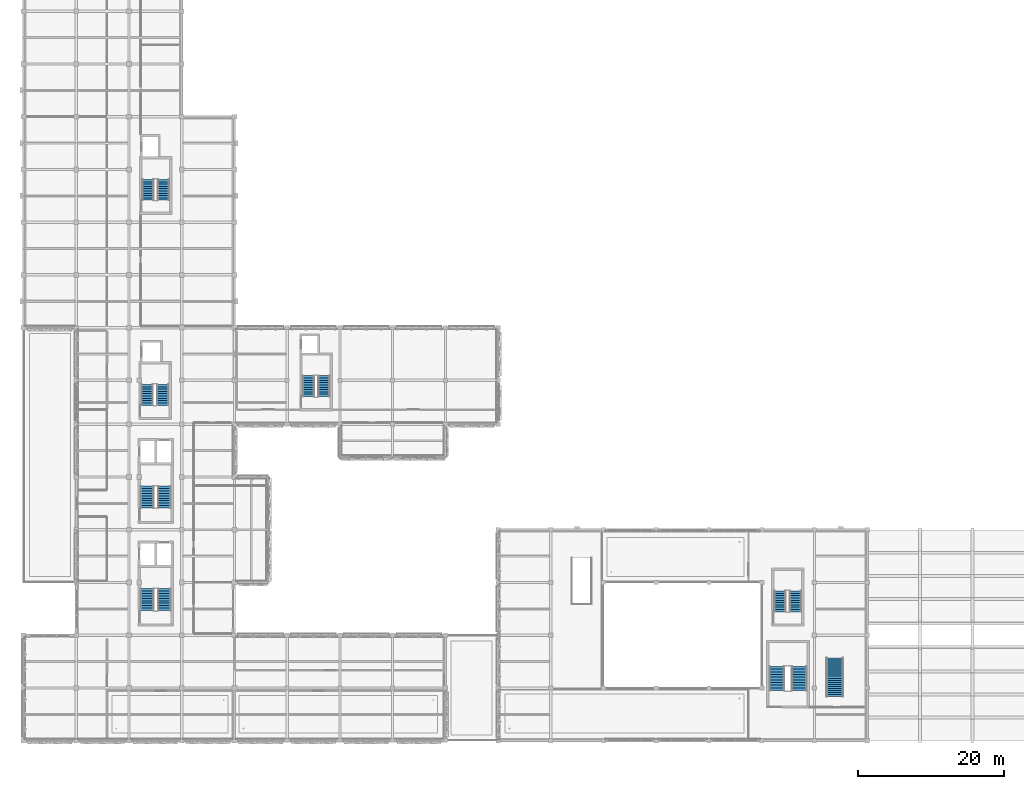
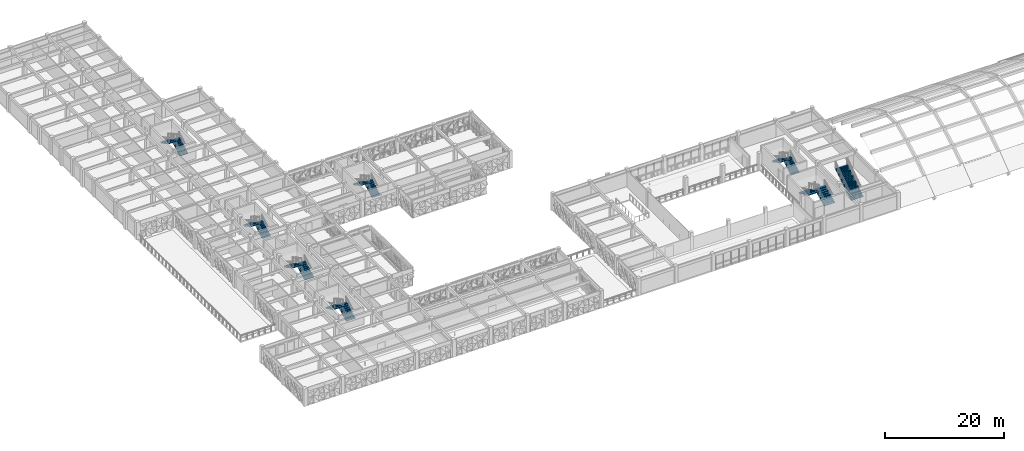
# One storey, part 49 of 85: 15 stair flights, 8 elements without a shape of their own.
"""IFC4 building model written with IfcOpenShell, lengths in metres."""

from ifc_helpers import new_model, si_unit, direction, frame, origin, place, context, subcontext, project, spatial, polyline, outline, extrude, material, type_object, element, aggregate, save


model = new_model("IFC4")

# Units and contexts
model_context = context("Model", 3, precision=1e-05, world=origin(), true_north=direction((0.0, 1.0)))
body_context = subcontext(model_context, "Body", "Model", "MODEL_VIEW")
ifc_project = project(units=[si_unit("LENGTHUNIT", "METRE"), si_unit("AREAUNIT", "SQUARE_METRE"), si_unit("VOLUMEUNIT", "CUBIC_METRE"), si_unit("PLANEANGLEUNIT", "RADIAN"), si_unit("MASSUNIT", "GRAM", prefix="KILO")], contexts=[model_context])

# Site, building, storey
site_placement = place(None, origin())
site = spatial("IfcSite", under=ifc_project, at=site_placement, CompositionType="ELEMENT")
building_placement = place(site_placement, origin())
building = spatial("IfcBuilding", under=site, at=building_placement, Name="Alvorim Cloister Faculty of Sciences", CompositionType="ELEMENT")
storey_placement = place(building_placement, frame((0.0, 0.0, 8.550048828125)))
storey = spatial("IfcBuildingStorey", under=building, at=storey_placement, Name="L02", CompositionType="ELEMENT", Elevation=8.550048828125)

# Stair, stair flight
ifc_material_1 = material(Name="Glulam GL32h", Category="wood")
stair_type_1 = type_object("IfcStairType", Name="STR-MON-ST-09-1700x3600", PredefinedType="STRAIGHT_RUN_STAIR", material=ifc_material_1)
stair_1_placement = place(storey_placement, origin())
stair_1 = element("IfcStair", 1, at=stair_1_placement, inside=storey, type_object=stair_type_1, Name="Atrium Monumental Stair MST-L02-ATR", PredefinedType="STRAIGHT_RUN_STAIR")
stair_flight_type_1 = type_object("IfcStairFlightType", Name="FLT-MON-ST-09-1700x3600", PredefinedType="STRAIGHT", material=ifc_material_1)
stair_flight_1_placement = place(storey_placement, frame((110.800048828125, 6.0, 0.0), z_axis=(0.0, 0.0, 1.0), x_axis=(0.0, 1.0, 0.0)))
stair_flight_1 = element("IfcStairFlight", 2, at=stair_flight_1_placement, type_object=stair_flight_type_1, Name="ST-09 flight 1", NumberOfRisers=20, NumberOfTreads=19, PredefinedType="STRAIGHT", RiserHeight=0.18, TreadLength=0.28, context=body_context, shape_type="SweptSolid", body=[
    extrude(outline(polyline([(0.332763671875, 0.0), (5.320068359375, 3.2060546875), (5.320068359375, 3.60009765625), (5.320068359375, 3.419921875), (5.0400390625, 3.419921875), (5.0400390625, 3.239990234375), (4.760009765625, 3.239990234375), (4.760009765625, 3.06005859375), (4.47998046875, 3.06005859375), (4.47998046875, 2.8798828125), (4.199951171875, 2.8798828125), (4.199951171875, 2.699951171875), (3.919921875, 2.699951171875), (3.919921875, 2.52001953125), (3.639892578125, 2.52001953125), (3.639892578125, 2.340087890625), (3.360107421875, 2.340087890625), (3.360107421875, 2.159912109375), (3.080078125, 2.159912109375), (3.080078125, 1.97998046875), (2.800048828125, 1.97998046875), (2.800048828125, 1.800048828125), (2.52001953125, 1.800048828125), (2.52001953125, 1.6201171875), (2.239990234375, 1.6201171875), (2.239990234375, 1.43994140625), (1.9599609375, 1.43994140625), (1.9599609375, 1.260009765625), (1.679931640625, 1.260009765625), (1.679931640625, 1.080078125), (1.39990234375, 1.080078125), (1.39990234375, 0.89990234375), (1.1201171875, 0.89990234375), (1.1201171875, 0.719970703125), (0.840087890625, 0.719970703125), (0.840087890625, 0.5400390625), (0.56005859375, 0.5400390625), (0.56005859375, 0.360107421875), (0.280029296875, 0.360107421875), (0.280029296875, 0.179931640625), (0.0, 0.179931640625), (0.0, 0.0), (0.332763671875, 0.0)])), frame((0.0, 1.175048828125, 0.0), z_axis=(0.0, -1.0, 0.0), x_axis=(1.0, 0.0, 0.0)), (0.0, 0.0, 1.0), 2.35009765625),
])
aggregate(stair_1, [stair_flight_1])

# Stair, stair flights
ifc_material_2 = material(Name="Concrete C40", Category="concrete")
stair_type_2 = type_object("IfcStairType", Name="STR-ST-01-1780x3600", PredefinedType="HALF_TURN_STAIR", material=ifc_material_2)
stair_2_placement = place(storey_placement, origin())
stair_2 = element("IfcStair", 3, at=stair_2_placement, inside=storey, type_object=stair_type_2, Name="L02 Enclosed Smoke-Proof Stair ST-01", PredefinedType="HALF_TURN_STAIR")
stair_flight_type_2 = type_object("IfcStairFlightType", Name="FLT-ST-01-1780x1800", PredefinedType="STRAIGHT", material=ifc_material_2)
stair_flight_2_placement = place(storey_placement, frame((19.22998046875, 17.780029296875, 0.0), z_axis=(0.0, 0.0, 1.0), x_axis=(0.0, 1.0, 0.0)))
stair_flight_2 = element("IfcStairFlight", 4, at=stair_flight_2_placement, type_object=stair_flight_type_2, Name="ST-01 flight 1", NumberOfRisers=10, NumberOfTreads=9, PredefinedType="STRAIGHT", RiserHeight=0.18, TreadLength=0.33, context=body_context, shape_type="SweptSolid", body=[
    extrude(outline(polyline([(0.333984375, 0.0), (2.969970703125, 1.437744140625), (2.969970703125, 1.800048828125), (2.969970703125, 1.6201171875), (2.639892578125, 1.6201171875), (2.639892578125, 1.43994140625), (2.31005859375, 1.43994140625), (2.31005859375, 1.260009765625), (1.97998046875, 1.260009765625), (1.97998046875, 1.080078125), (1.64990234375, 1.080078125), (1.64990234375, 0.89990234375), (1.320068359375, 0.89990234375), (1.320068359375, 0.719970703125), (0.989990234375, 0.719970703125), (0.989990234375, 0.5400390625), (0.659912109375, 0.5400390625), (0.659912109375, 0.360107421875), (0.330078125, 0.360107421875), (0.330078125, 0.179931640625), (0.0, 0.179931640625), (0.0, 0.0), (0.333984375, 0.0)])), frame((0.0, 0.89013671875, 0.0), z_axis=(0.0, -1.0, 0.0), x_axis=(1.0, 0.0, 0.0)), (0.0, 0.0, 1.0), 1.780029296875),
])
stair_flight_3_placement = place(storey_placement, frame((16.889892578125, 20.75, 1.800048828125), z_axis=(0.0, 0.0, 1.0), x_axis=(0.0, -1.0, 0.0)))
stair_flight_3 = element("IfcStairFlight", 5, at=stair_flight_3_placement, type_object=stair_flight_type_2, Name="ST-01 flight 2", NumberOfRisers=10, NumberOfTreads=9, PredefinedType="STRAIGHT", RiserHeight=0.18, TreadLength=0.33, context=body_context, shape_type="SweptSolid", body=[
    extrude(outline(polyline([(0.333984375, 0.0), (2.969970703125, 1.437744140625), (2.969970703125, 1.800048828125), (2.969970703125, 1.6201171875), (2.639892578125, 1.6201171875), (2.639892578125, 1.43994140625), (2.31005859375, 1.43994140625), (2.31005859375, 1.260009765625), (1.97998046875, 1.260009765625), (1.97998046875, 1.080078125), (1.64990234375, 1.080078125), (1.64990234375, 0.89990234375), (1.320068359375, 0.89990234375), (1.320068359375, 0.719970703125), (0.989990234375, 0.719970703125), (0.989990234375, 0.5400390625), (0.659912109375, 0.5400390625), (0.659912109375, 0.360107421875), (0.330078125, 0.360107421875), (0.330078125, 0.179931640625), (0.0, 0.179931640625), (0.0, 0.0), (0.333984375, 0.0)])), frame((0.0, 0.89013671875, 0.0), z_axis=(0.0, -1.0, 0.0), x_axis=(1.0, 0.0, 0.0)), (0.0, 0.0, 1.0), 1.780029296875),
])
aggregate(stair_2, [stair_flight_2, stair_flight_3])

stair_type_3 = type_object("IfcStairType", Name="STR-ST-02-1780x3600", PredefinedType="HALF_TURN_STAIR", material=ifc_material_2)
stair_3_placement = place(storey_placement, origin())
stair_3 = element("IfcStair", 6, at=stair_3_placement, inside=storey, type_object=stair_type_3, Name="L02 Enclosed Smoke-Proof Stair ST-02", PredefinedType="HALF_TURN_STAIR")
stair_flight_type_3 = type_object("IfcStairFlightType", Name="FLT-ST-02-1780x1800", PredefinedType="STRAIGHT", material=ifc_material_2)
stair_flight_4_placement = place(storey_placement, frame((19.22998046875, 31.780029296875, 0.0), z_axis=(0.0, 0.0, 1.0), x_axis=(0.0, 1.0, 0.0)))
stair_flight_4 = element("IfcStairFlight", 7, at=stair_flight_4_placement, type_object=stair_flight_type_3, Name="ST-02 flight 1", NumberOfRisers=10, NumberOfTreads=9, PredefinedType="STRAIGHT", RiserHeight=0.18, TreadLength=0.33, context=body_context, shape_type="SweptSolid", body=[
    extrude(outline(polyline([(0.333984375, 0.0), (2.969970703125, 1.437744140625), (2.969970703125, 1.800048828125), (2.969970703125, 1.6201171875), (2.639892578125, 1.6201171875), (2.639892578125, 1.43994140625), (2.31005859375, 1.43994140625), (2.31005859375, 1.260009765625), (1.97998046875, 1.260009765625), (1.97998046875, 1.080078125), (1.64990234375, 1.080078125), (1.64990234375, 0.89990234375), (1.320068359375, 0.89990234375), (1.320068359375, 0.719970703125), (0.989990234375, 0.719970703125), (0.989990234375, 0.5400390625), (0.659912109375, 0.5400390625), (0.659912109375, 0.360107421875), (0.330078125, 0.360107421875), (0.330078125, 0.179931640625), (0.0, 0.179931640625), (0.0, 0.0), (0.333984375, 0.0)])), frame((0.0, 0.89013671875, 0.0), z_axis=(0.0, -1.0, 0.0), x_axis=(1.0, 0.0, 0.0)), (0.0, 0.0, 1.0), 1.780029296875),
])
stair_flight_5_placement = place(storey_placement, frame((16.889892578125, 34.75, 1.800048828125), z_axis=(0.0, 0.0, 1.0), x_axis=(0.0, -1.0, 0.0)))
stair_flight_5 = element("IfcStairFlight", 8, at=stair_flight_5_placement, type_object=stair_flight_type_3, Name="ST-02 flight 2", NumberOfRisers=10, NumberOfTreads=9, PredefinedType="STRAIGHT", RiserHeight=0.18, TreadLength=0.33, context=body_context, shape_type="SweptSolid", body=[
    extrude(outline(polyline([(0.333984375, 0.0), (2.969970703125, 1.437744140625), (2.969970703125, 1.800048828125), (2.969970703125, 1.6201171875), (2.639892578125, 1.6201171875), (2.639892578125, 1.43994140625), (2.31005859375, 1.43994140625), (2.31005859375, 1.260009765625), (1.97998046875, 1.260009765625), (1.97998046875, 1.080078125), (1.64990234375, 1.080078125), (1.64990234375, 0.89990234375), (1.320068359375, 0.89990234375), (1.320068359375, 0.719970703125), (0.989990234375, 0.719970703125), (0.989990234375, 0.5400390625), (0.659912109375, 0.5400390625), (0.659912109375, 0.360107421875), (0.330078125, 0.360107421875), (0.330078125, 0.179931640625), (0.0, 0.179931640625), (0.0, 0.0), (0.333984375, 0.0)])), frame((0.0, 0.89013671875, 0.0), z_axis=(0.0, -1.0, 0.0), x_axis=(1.0, 0.0, 0.0)), (0.0, 0.0, 1.0), 1.780029296875),
])
aggregate(stair_3, [stair_flight_4, stair_flight_5])

stair_type_4 = type_object("IfcStairType", Name="STR-ST-03-1600x3600", PredefinedType="HALF_TURN_STAIR", material=ifc_material_2)
stair_4_placement = place(storey_placement, origin())
stair_4 = element("IfcStair", 9, at=stair_4_placement, inside=storey, type_object=stair_type_4, Name="L02 Enclosed Smoke-Proof Stair ST-03", PredefinedType="HALF_TURN_STAIR")
stair_flight_type_4 = type_object("IfcStairFlightType", Name="FLT-ST-03-1600x1800", PredefinedType="STRAIGHT", material=ifc_material_2)
stair_flight_6_placement = place(storey_placement, frame((19.02001953125, 45.800048828125, 0.0), z_axis=(0.0, 0.0, 1.0), x_axis=(0.0, 1.0, 0.0)))
stair_flight_6 = element("IfcStairFlight", 10, at=stair_flight_6_placement, type_object=stair_flight_type_4, Name="ST-03 flight 1", NumberOfRisers=10, NumberOfTreads=9, PredefinedType="STRAIGHT", RiserHeight=0.18, TreadLength=0.315, context=body_context, shape_type="SweptSolid", body=[
    extrude(outline(polyline([(0.322265625, 0.0), (2.8349609375, 1.435791015625), (2.8349609375, 1.800048828125), (2.8349609375, 1.6201171875), (2.52001953125, 1.6201171875), (2.52001953125, 1.43994140625), (2.205078125, 1.43994140625), (2.205078125, 1.260009765625), (1.889892578125, 1.260009765625), (1.889892578125, 1.080078125), (1.574951171875, 1.080078125), (1.574951171875, 0.89990234375), (1.260009765625, 0.89990234375), (1.260009765625, 0.719970703125), (0.945068359375, 0.719970703125), (0.945068359375, 0.5400390625), (0.6298828125, 0.5400390625), (0.6298828125, 0.360107421875), (0.31494140625, 0.360107421875), (0.31494140625, 0.179931640625), (0.0, 0.179931640625), (0.0, 0.0), (0.322265625, 0.0)])), frame((0.0, 0.800048828125, 0.0), z_axis=(0.0, -1.0, 0.0), x_axis=(1.0, 0.0, 0.0)), (0.0, 0.0, 1.0), 1.60009765625),
])
stair_flight_7_placement = place(storey_placement, frame((16.89990234375, 48.635009765625, 1.800048828125), z_axis=(0.0, 0.0, 1.0), x_axis=(0.0, -1.0, 0.0)))
stair_flight_7 = element("IfcStairFlight", 11, at=stair_flight_7_placement, type_object=stair_flight_type_4, Name="ST-03 flight 2", NumberOfRisers=10, NumberOfTreads=9, PredefinedType="STRAIGHT", RiserHeight=0.18, TreadLength=0.315, context=body_context, shape_type="SweptSolid", body=[
    extrude(outline(polyline([(0.322265625, 0.0), (2.8349609375, 1.435791015625), (2.8349609375, 1.800048828125), (2.8349609375, 1.6201171875), (2.52001953125, 1.6201171875), (2.52001953125, 1.43994140625), (2.205078125, 1.43994140625), (2.205078125, 1.260009765625), (1.889892578125, 1.260009765625), (1.889892578125, 1.080078125), (1.574951171875, 1.080078125), (1.574951171875, 0.89990234375), (1.260009765625, 0.89990234375), (1.260009765625, 0.719970703125), (0.945068359375, 0.719970703125), (0.945068359375, 0.5400390625), (0.6298828125, 0.5400390625), (0.6298828125, 0.360107421875), (0.31494140625, 0.360107421875), (0.31494140625, 0.179931640625), (0.0, 0.179931640625), (0.0, 0.0), (0.322265625, 0.0)])), frame((0.0, 0.800048828125, 0.0), z_axis=(0.0, -1.0, 0.0), x_axis=(1.0, 0.0, 0.0)), (0.0, 0.0, 1.0), 1.60009765625),
])
aggregate(stair_4, [stair_flight_6, stair_flight_7])

stair_type_5 = type_object("IfcStairType", Name="STR-ST-04-1600x3600", PredefinedType="HALF_TURN_STAIR", material=ifc_material_2)
stair_5_placement = place(storey_placement, origin())
stair_5 = element("IfcStair", 12, at=stair_5_placement, inside=storey, type_object=stair_type_5, Name="L02 Enclosed Smoke-Proof Stair ST-04", PredefinedType="HALF_TURN_STAIR")
stair_flight_type_5 = type_object("IfcStairFlightType", Name="FLT-ST-04-1600x1800", PredefinedType="STRAIGHT", material=ifc_material_2)
stair_flight_8_placement = place(storey_placement, frame((41.02001953125, 47.0, 0.0), z_axis=(0.0, 0.0, 1.0), x_axis=(0.0, 1.0, 0.0)))
stair_flight_8 = element("IfcStairFlight", 13, at=stair_flight_8_placement, type_object=stair_flight_type_5, Name="ST-04 flight 1", NumberOfRisers=10, NumberOfTreads=9, PredefinedType="STRAIGHT", RiserHeight=0.18, TreadLength=0.315, context=body_context, shape_type="SweptSolid", body=[
    extrude(outline(polyline([(0.322265625, 0.0), (2.8349609375, 1.435791015625), (2.8349609375, 1.800048828125), (2.8349609375, 1.6201171875), (2.52001953125, 1.6201171875), (2.52001953125, 1.43994140625), (2.205078125, 1.43994140625), (2.205078125, 1.260009765625), (1.889892578125, 1.260009765625), (1.889892578125, 1.080078125), (1.574951171875, 1.080078125), (1.574951171875, 0.89990234375), (1.260009765625, 0.89990234375), (1.260009765625, 0.719970703125), (0.945068359375, 0.719970703125), (0.945068359375, 0.5400390625), (0.6298828125, 0.5400390625), (0.6298828125, 0.360107421875), (0.31494140625, 0.360107421875), (0.31494140625, 0.179931640625), (0.0, 0.179931640625), (0.0, 0.0), (0.322265625, 0.0)])), frame((0.0, 0.800048828125, 0.0), z_axis=(0.0, -1.0, 0.0), x_axis=(1.0, 0.0, 0.0)), (0.0, 0.0, 1.0), 1.60009765625),
])
stair_flight_9_placement = place(storey_placement, frame((38.89990234375, 49.8349609375, 1.800048828125), z_axis=(0.0, 0.0, 1.0), x_axis=(0.0, -1.0, 0.0)))
stair_flight_9 = element("IfcStairFlight", 14, at=stair_flight_9_placement, type_object=stair_flight_type_5, Name="ST-04 flight 2", NumberOfRisers=10, NumberOfTreads=9, PredefinedType="STRAIGHT", RiserHeight=0.18, TreadLength=0.315, context=body_context, shape_type="SweptSolid", body=[
    extrude(outline(polyline([(0.322265625, 0.0), (2.8349609375, 1.435791015625), (2.8349609375, 1.800048828125), (2.8349609375, 1.6201171875), (2.52001953125, 1.6201171875), (2.52001953125, 1.43994140625), (2.205078125, 1.43994140625), (2.205078125, 1.260009765625), (1.889892578125, 1.260009765625), (1.889892578125, 1.080078125), (1.574951171875, 1.080078125), (1.574951171875, 0.89990234375), (1.260009765625, 0.89990234375), (1.260009765625, 0.719970703125), (0.945068359375, 0.719970703125), (0.945068359375, 0.5400390625), (0.6298828125, 0.5400390625), (0.6298828125, 0.360107421875), (0.31494140625, 0.360107421875), (0.31494140625, 0.179931640625), (0.0, 0.179931640625), (0.0, 0.0), (0.322265625, 0.0)])), frame((0.0, 0.800048828125, 0.0), z_axis=(0.0, -1.0, 0.0), x_axis=(1.0, 0.0, 0.0)), (0.0, 0.0, 1.0), 1.60009765625),
])
aggregate(stair_5, [stair_flight_8, stair_flight_9])

stair_type_6 = type_object("IfcStairType", Name="STR-ST-05-1600x3600", PredefinedType="HALF_TURN_STAIR", material=ifc_material_2)
stair_6_placement = place(storey_placement, origin())
stair_6 = element("IfcStair", 15, at=stair_6_placement, inside=storey, type_object=stair_type_6, Name="L02 Enclosed Smoke-Proof Stair ST-05", PredefinedType="HALF_TURN_STAIR")
stair_flight_type_6 = type_object("IfcStairFlightType", Name="FLT-ST-05-1600x1800", PredefinedType="STRAIGHT", material=ifc_material_2)
stair_flight_10_placement = place(storey_placement, frame((19.1201171875, 73.800048828125, 0.0), z_axis=(0.0, 0.0, 1.0), x_axis=(0.0, 1.0, 0.0)))
stair_flight_10 = element("IfcStairFlight", 16, at=stair_flight_10_placement, type_object=stair_flight_type_6, Name="ST-05 flight 1", NumberOfRisers=10, NumberOfTreads=9, PredefinedType="STRAIGHT", RiserHeight=0.18, TreadLength=0.315, context=body_context, shape_type="SweptSolid", body=[
    extrude(outline(polyline([(0.322265625, 0.0), (2.8349609375, 1.435791015625), (2.8349609375, 1.800048828125), (2.8349609375, 1.6201171875), (2.52001953125, 1.6201171875), (2.52001953125, 1.43994140625), (2.205078125, 1.43994140625), (2.205078125, 1.260009765625), (1.889892578125, 1.260009765625), (1.889892578125, 1.080078125), (1.574951171875, 1.080078125), (1.574951171875, 0.89990234375), (1.260009765625, 0.89990234375), (1.260009765625, 0.719970703125), (0.945068359375, 0.719970703125), (0.945068359375, 0.5400390625), (0.6298828125, 0.5400390625), (0.6298828125, 0.360107421875), (0.31494140625, 0.360107421875), (0.31494140625, 0.179931640625), (0.0, 0.179931640625), (0.0, 0.0), (0.322265625, 0.0)])), frame((0.0, 0.800048828125, 0.0), z_axis=(0.0, -1.0, 0.0), x_axis=(1.0, 0.0, 0.0)), (0.0, 0.0, 1.0), 1.60009765625),
])
stair_flight_11_placement = place(storey_placement, frame((17.0, 76.635009765625, 1.800048828125), z_axis=(0.0, 0.0, 1.0), x_axis=(0.0, -1.0, 0.0)))
stair_flight_11 = element("IfcStairFlight", 17, at=stair_flight_11_placement, type_object=stair_flight_type_6, Name="ST-05 flight 2", NumberOfRisers=10, NumberOfTreads=9, PredefinedType="STRAIGHT", RiserHeight=0.18, TreadLength=0.315, context=body_context, shape_type="SweptSolid", body=[
    extrude(outline(polyline([(0.322265625, 0.0), (2.8349609375, 1.435791015625), (2.8349609375, 1.800048828125), (2.8349609375, 1.6201171875), (2.52001953125, 1.6201171875), (2.52001953125, 1.43994140625), (2.205078125, 1.43994140625), (2.205078125, 1.260009765625), (1.889892578125, 1.260009765625), (1.889892578125, 1.080078125), (1.574951171875, 1.080078125), (1.574951171875, 0.89990234375), (1.260009765625, 0.89990234375), (1.260009765625, 0.719970703125), (0.945068359375, 0.719970703125), (0.945068359375, 0.5400390625), (0.6298828125, 0.5400390625), (0.6298828125, 0.360107421875), (0.31494140625, 0.360107421875), (0.31494140625, 0.179931640625), (0.0, 0.179931640625), (0.0, 0.0), (0.322265625, 0.0)])), frame((0.0, 0.800048828125, 0.0), z_axis=(0.0, -1.0, 0.0), x_axis=(1.0, 0.0, 0.0)), (0.0, 0.0, 1.0), 1.60009765625),
])
aggregate(stair_6, [stair_flight_10, stair_flight_11])

stair_type_7 = type_object("IfcStairType", Name="STR-ST-06-1600x3600", PredefinedType="HALF_TURN_STAIR", material=ifc_material_2)
stair_7_placement = place(storey_placement, origin())
stair_7 = element("IfcStair", 18, at=stair_7_placement, inside=storey, type_object=stair_type_7, Name="L02 Enclosed Smoke-Proof Stair ST-06", PredefinedType="HALF_TURN_STAIR")
stair_flight_type_7 = type_object("IfcStairFlightType", Name="FLT-ST-06-1600x1800", PredefinedType="STRAIGHT", material=ifc_material_2)
stair_flight_12_placement = place(storey_placement, frame((105.419921875, 17.60009765625, 0.0), z_axis=(0.0, 0.0, 1.0), x_axis=(0.0, 1.0, 0.0)))
stair_flight_12 = element("IfcStairFlight", 19, at=stair_flight_12_placement, type_object=stair_flight_type_7, Name="ST-06 flight 1", NumberOfRisers=10, NumberOfTreads=9, PredefinedType="STRAIGHT", RiserHeight=0.18, TreadLength=0.315, context=body_context, shape_type="SweptSolid", body=[
    extrude(outline(polyline([(0.322265625, 0.0), (2.8349609375, 1.435791015625), (2.8349609375, 1.800048828125), (2.8349609375, 1.6201171875), (2.52001953125, 1.6201171875), (2.52001953125, 1.43994140625), (2.205078125, 1.43994140625), (2.205078125, 1.260009765625), (1.889892578125, 1.260009765625), (1.889892578125, 1.080078125), (1.574951171875, 1.080078125), (1.574951171875, 0.89990234375), (1.260009765625, 0.89990234375), (1.260009765625, 0.719970703125), (0.945068359375, 0.719970703125), (0.945068359375, 0.5400390625), (0.6298828125, 0.5400390625), (0.6298828125, 0.360107421875), (0.31494140625, 0.360107421875), (0.31494140625, 0.179931640625), (0.0, 0.179931640625), (0.0, 0.0), (0.322265625, 0.0)])), frame((0.0, 0.800048828125, 0.0), z_axis=(0.0, -1.0, 0.0), x_axis=(1.0, 0.0, 0.0)), (0.0, 0.0, 1.0), 1.60009765625),
])
stair_flight_13_placement = place(storey_placement, frame((103.300048828125, 20.43505859375, 1.800048828125), z_axis=(0.0, 0.0, 1.0), x_axis=(0.0, -1.0, 0.0)))
stair_flight_13 = element("IfcStairFlight", 20, at=stair_flight_13_placement, type_object=stair_flight_type_7, Name="ST-06 flight 2", NumberOfRisers=10, NumberOfTreads=9, PredefinedType="STRAIGHT", RiserHeight=0.18, TreadLength=0.315, context=body_context, shape_type="SweptSolid", body=[
    extrude(outline(polyline([(0.322265625, 0.0), (2.8349609375, 1.435791015625), (2.8349609375, 1.800048828125), (2.8349609375, 1.6201171875), (2.52001953125, 1.6201171875), (2.52001953125, 1.43994140625), (2.205078125, 1.43994140625), (2.205078125, 1.260009765625), (1.889892578125, 1.260009765625), (1.889892578125, 1.080078125), (1.574951171875, 1.080078125), (1.574951171875, 0.89990234375), (1.260009765625, 0.89990234375), (1.260009765625, 0.719970703125), (0.945068359375, 0.719970703125), (0.945068359375, 0.5400390625), (0.6298828125, 0.5400390625), (0.6298828125, 0.360107421875), (0.31494140625, 0.360107421875), (0.31494140625, 0.179931640625), (0.0, 0.179931640625), (0.0, 0.0), (0.322265625, 0.0)])), frame((0.0, 0.800048828125, 0.0), z_axis=(0.0, -1.0, 0.0), x_axis=(1.0, 0.0, 0.0)), (0.0, 0.0, 1.0), 1.60009765625),
])
aggregate(stair_7, [stair_flight_12, stair_flight_13])

stair_type_8 = type_object("IfcStairType", Name="STR-ST-12-2050x3600", PredefinedType="HALF_TURN_STAIR", material=ifc_material_2)
stair_8_placement = place(storey_placement, origin())
stair_8 = element("IfcStair", 21, at=stair_8_placement, inside=storey, type_object=stair_type_8, Name="L02 Enclosed Smoke-Proof Stair ST-12", PredefinedType="HALF_TURN_STAIR")
stair_flight_type_8 = type_object("IfcStairFlightType", Name="FLT-ST-12-2050x1800", PredefinedType="STRAIGHT", material=ifc_material_2)
stair_flight_14_placement = place(storey_placement, frame((105.93505859375, 6.85009765625, 0.0), z_axis=(0.0, 0.0, 1.0), x_axis=(0.0, 1.0, 0.0)))
stair_flight_14 = element("IfcStairFlight", 22, at=stair_flight_14_placement, type_object=stair_flight_type_8, Name="ST-12 flight 1", NumberOfRisers=10, NumberOfTreads=9, PredefinedType="STRAIGHT", RiserHeight=0.18, TreadLength=0.365, context=body_context, shape_type="SweptSolid", body=[
    extrude(outline(polyline([(0.361572265625, 0.0), (3.284912109375, 1.441650390625), (3.284912109375, 1.800048828125), (3.284912109375, 1.6201171875), (2.919921875, 1.6201171875), (2.919921875, 1.43994140625), (2.554931640625, 1.43994140625), (2.554931640625, 1.260009765625), (2.18994140625, 1.260009765625), (2.18994140625, 1.080078125), (1.824951171875, 1.080078125), (1.824951171875, 0.89990234375), (1.4599609375, 0.89990234375), (1.4599609375, 0.719970703125), (1.094970703125, 0.719970703125), (1.094970703125, 0.5400390625), (0.72998046875, 0.5400390625), (0.72998046875, 0.360107421875), (0.364990234375, 0.360107421875), (0.364990234375, 0.179931640625), (0.0, 0.179931640625), (0.0, 0.0), (0.361572265625, 0.0)])), frame((0.0, 1.02490234375, 0.0), z_axis=(0.0, -1.0, 0.0), x_axis=(1.0, 0.0, 0.0)), (0.0, 0.0, 1.0), 2.050048828125),
])
stair_flight_15_placement = place(storey_placement, frame((102.864990234375, 10.135009765625, 1.800048828125), z_axis=(0.0, 0.0, 1.0), x_axis=(0.0, -1.0, 0.0)))
stair_flight_15 = element("IfcStairFlight", 23, at=stair_flight_15_placement, type_object=stair_flight_type_8, Name="ST-12 flight 2", NumberOfRisers=10, NumberOfTreads=9, PredefinedType="STRAIGHT", RiserHeight=0.18, TreadLength=0.365, context=body_context, shape_type="SweptSolid", body=[
    extrude(outline(polyline([(0.361572265625, 0.0), (3.284912109375, 1.441650390625), (3.284912109375, 1.800048828125), (3.284912109375, 1.6201171875), (2.919921875, 1.6201171875), (2.919921875, 1.43994140625), (2.554931640625, 1.43994140625), (2.554931640625, 1.260009765625), (2.18994140625, 1.260009765625), (2.18994140625, 1.080078125), (1.824951171875, 1.080078125), (1.824951171875, 0.89990234375), (1.4599609375, 0.89990234375), (1.4599609375, 0.719970703125), (1.094970703125, 0.719970703125), (1.094970703125, 0.5400390625), (0.72998046875, 0.5400390625), (0.72998046875, 0.360107421875), (0.364990234375, 0.360107421875), (0.364990234375, 0.179931640625), (0.0, 0.179931640625), (0.0, 0.0), (0.361572265625, 0.0)])), frame((0.0, 1.02490234375, 0.0), z_axis=(0.0, -1.0, 0.0), x_axis=(1.0, 0.0, 0.0)), (0.0, 0.0, 1.0), 2.050048828125),
])
aggregate(stair_8, [stair_flight_14, stair_flight_15])

save(model, "model.ifc")
